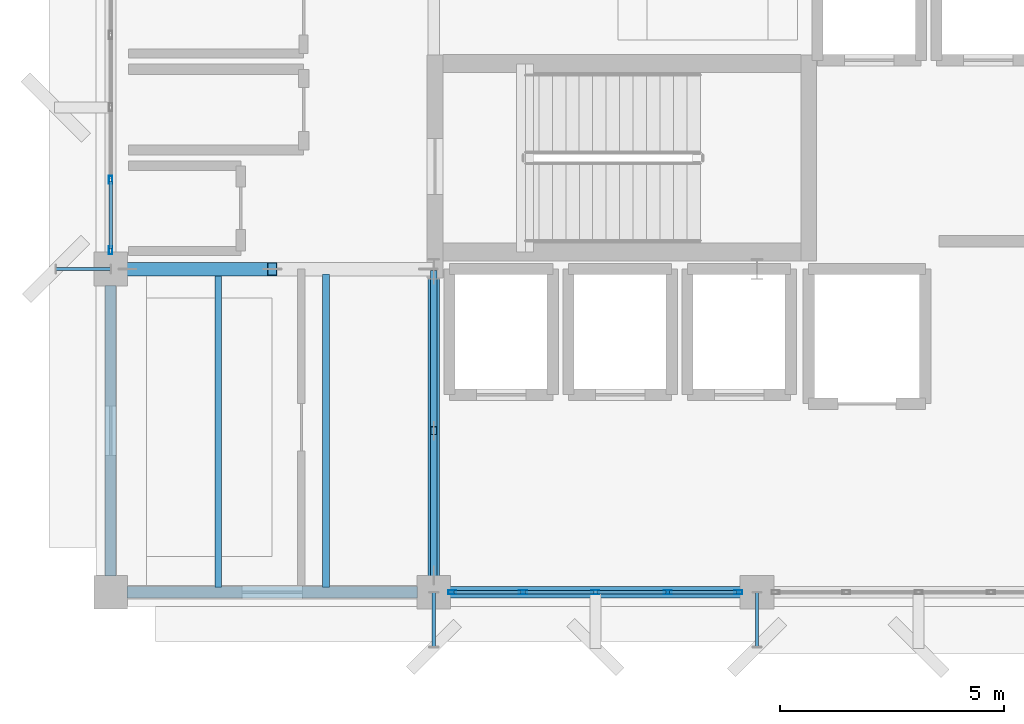
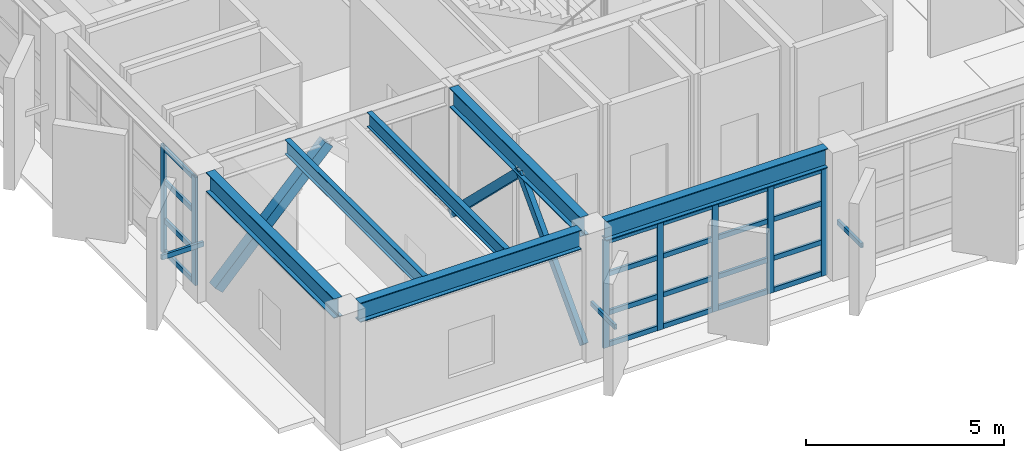
# One storey, part 6 of 37: 33 members, 6 beams, 2 elements without a shape of their own.
"""IFC4 building model written with IfcOpenShell, lengths in metres."""

from ifc_helpers import new_model, si_unit, direction, frame, origin, origin_2d, place, context, subcontext, project, spatial, hollow_rectangle, i_section, extrude, material, layer, layer_set, material_profile, profile_set, type_object, element, aggregate, save


model = new_model("IFC4")

# Units and contexts
model_context = context("Model", 3, precision=1e-05, world=origin(), true_north=direction((0.0, 1.0)))
body_context = subcontext(model_context, "Body", "Model", "MODEL_VIEW")
ifc_project = project(units=[si_unit("LENGTHUNIT", "METRE"), si_unit("AREAUNIT", "SQUARE_METRE"), si_unit("VOLUMEUNIT", "CUBIC_METRE"), si_unit("PLANEANGLEUNIT", "RADIAN"), si_unit("MASSUNIT", "GRAM", prefix="KILO")], contexts=[model_context])

# Site, building, storey
site_placement = place(None, origin())
site = spatial("IfcSite", under=ifc_project, at=site_placement, CompositionType="ELEMENT")
building_placement = place(site_placement, origin())
building = spatial("IfcBuilding", under=site, at=building_placement, Name="Kandorven Conservatory and Botanical Research Centre", CompositionType="ELEMENT")
storey_placement = place(building_placement, frame((0.0, 0.0, 9.0)))
storey = spatial("IfcBuildingStorey", under=building, at=storey_placement, Name="L02", CompositionType="ELEMENT", Elevation=9.0)

# Beams
ifc_material_1 = material(Name="Steel S355 (IS 2062 E350)", Category="steel")
ifc_material_profile_1 = material_profile(ifc_material_1, i_section(OverallWidth=0.25, OverallDepth=0.60009765625, WebThickness=0.01171875, FlangeThickness=0.023681640625, at=origin_2d()))
ifc_profile_set_1 = profile_set([ifc_material_profile_1], Name="Steel S355 (IS 2062 E350)")
beam_type_1 = type_object("IfcBeamType", Name="Beam_FG-01", PredefinedType="USERDEFINED", material=ifc_profile_set_1)
for number, where, z_axis, x_axis, name in (
    (1, (6.364990234375, 6.0, 3.659912109375), (1.0, 0.0, 0.0), (0.0, 1.0, 0.0), "Primary girder FG-01 TWR L02"),
    (2, (13.56494140625, 6.0, 3.659912109375), (1.0, 0.0, 0.0), (0.0, 1.0, 0.0), "Primary girder FG-01 TWR L02"),
    (3, (6.0, 6.364990234375, 3.659912109375), (0.0, 1.0, 0.0), (-1.0, 0.0, 0.0), "Primary girder FG-01 TWR L02"),
):
    element("IfcBeam", number, at=place(storey_placement, frame(where, z_axis=z_axis, x_axis=x_axis)), inside=storey, type_object=beam_type_1, Name=name, ObjectType="GIRDER", PredefinedType="USERDEFINED", context=body_context, shape_type="SweptSolid", body=[
        extrude(i_section(OverallWidth=0.25, OverallDepth=0.60009765625, WebThickness=0.01171875, FlangeThickness=0.023681640625, at=origin_2d()), origin(), (0.0, 0.0, 1.0), 6.469970703125),
    ])
beam_placement = place(storey_placement, frame((13.199951171875, 6.364990234375, 3.659912109375), z_axis=(0.0, 1.0, 0.0), x_axis=(-1.0, 0.0, 0.0)))
element("IfcBeam", 4, at=beam_placement, inside=storey, type_object=beam_type_1, Name="Primary girder FG-01 TWR L02", ObjectType="GIRDER", PredefinedType="USERDEFINED", context=body_context, shape_type="SweptSolid", body=[
    extrude(i_section(OverallWidth=0.25, OverallDepth=0.60009765625, WebThickness=0.01171875, FlangeThickness=0.023681640625, at=origin_2d()), origin(), (0.0, 0.0, 1.0), 6.6201171875),
])
ifc_material_2 = material(Name="Steel S355 (IS 2062 E350)", Category="steel")
ifc_material_profile_2 = material_profile(ifc_material_2, i_section(OverallWidth=0.14990234375, OverallDepth=0.449951171875, WebThickness=0.009521484375, FlangeThickness=0.017333984375, at=origin_2d()))
ifc_profile_set_2 = profile_set([ifc_material_profile_2], Name="Steel S355 (IS 2062 E350)")
beam_type_2 = type_object("IfcBeamType", Name="Beam_SB-04", PredefinedType="BEAM", material=ifc_profile_set_2)
for number, where, z_axis, x_axis, name in (
    (5, (8.39990234375, 6.110107421875, 3.735107421875), (0.0, 1.0, 0.0), (-1.0, 0.0, 0.0), "Composite secondary beam SB-04 TWR L02"),
    (6, (10.800048828125, 6.110107421875, 3.735107421875), (0.0, 1.0, 0.0), (-1.0, 0.0, 0.0), "Composite secondary beam SB-04 TWR L02"),
):
    element("IfcBeam", number, at=place(storey_placement, frame(where, z_axis=z_axis, x_axis=x_axis)), inside=storey, type_object=beam_type_2, Name=name, PredefinedType="BEAM", context=body_context, shape_type="SweptSolid", body=[
        extrude(i_section(OverallWidth=0.14990234375, OverallDepth=0.449951171875, WebThickness=0.009521484375, FlangeThickness=0.017333984375, at=origin_2d()), origin(), (0.0, 0.0, 1.0), 6.97998046875),
    ])

# Curtain wall, members
ifc_material_3 = material(Name="Bronze anodised thermally broken aluminium", Category="aluminium")
ifc_layer = layer(ifc_material_3, 0.179931640625)
ifc_layer_set = layer_set([ifc_layer], Name="Bronze anodised thermally broken aluminium")
curtain_wall_type = type_object("IfcCurtainWallType", Name="CW_Unitised", PredefinedType="USERDEFINED", material=ifc_layer_set)
curtain_wall_1_placement = place(storey_placement, origin())
curtain_wall_1 = element("IfcCurtainWall", 7, at=curtain_wall_1_placement, inside=storey, type_object=curtain_wall_type, Name="Tower laboratory curtain wall CW-TWR-S-L02-2", ObjectType="UNITISED GLAZING", PredefinedType="USERDEFINED")
ifc_material_4 = material(Name="Bronze anodised thermally broken aluminium", Category="aluminium")
ifc_material_profile_3 = material_profile(ifc_material_4, hollow_rectangle(XDim=0.080078125, YDim=0.179931640625, WallThickness=0.006103515625, at=origin_2d()))
ifc_profile_set_3 = profile_set([ifc_material_profile_3], Name="Bronze anodised thermally broken aluminium")
member_type_1 = type_object("IfcMemberType", Name="CW_Mullion", PredefinedType="MULLION", material=ifc_profile_set_3)
member_1_placement = place(storey_placement, frame((13.614990234375, 6.0, 0.0), z_axis=(0.0, 0.0, 1.0), x_axis=(0.0, 1.0, 0.0)))
member_1 = element("IfcMember", 8, at=member_1_placement, type_object=member_type_1, Name="CW-01 mullion 1", PredefinedType="MULLION", context=body_context, shape_type="SweptSolid", body=[
    extrude(hollow_rectangle(XDim=0.080078125, YDim=0.179931640625, WallThickness=0.006103515625, at=origin_2d()), origin(), (0.0, 0.0, 1.0), 3.340087890625),
])
member_2_placement = place(storey_placement, frame((15.1875, 6.0, 0.0), z_axis=(0.0, 0.0, 1.0), x_axis=(0.0, 1.0, 0.0)))
member_2 = element("IfcMember", 9, at=member_2_placement, type_object=member_type_1, Name="CW-01 mullion 2", PredefinedType="MULLION", context=body_context, shape_type="SweptSolid", body=[
    extrude(hollow_rectangle(XDim=0.080078125, YDim=0.179931640625, WallThickness=0.006103515625, at=origin_2d()), origin(), (0.0, 0.0, 1.0), 3.340087890625),
])
member_3_placement = place(storey_placement, frame((16.800048828125, 6.0, 0.0), z_axis=(0.0, 0.0, 1.0), x_axis=(0.0, 1.0, 0.0)))
member_3 = element("IfcMember", 10, at=member_3_placement, type_object=member_type_1, Name="CW-01 mullion 3", PredefinedType="MULLION", context=body_context, shape_type="SweptSolid", body=[
    extrude(hollow_rectangle(XDim=0.080078125, YDim=0.179931640625, WallThickness=0.006103515625, at=origin_2d()), origin(), (0.0, 0.0, 1.0), 3.340087890625),
])
member_4_placement = place(storey_placement, frame((18.41259765625, 6.0, 0.0), z_axis=(0.0, 0.0, 1.0), x_axis=(0.0, 1.0, 0.0)))
member_4 = element("IfcMember", 11, at=member_4_placement, type_object=member_type_1, Name="CW-01 mullion 4", PredefinedType="MULLION", context=body_context, shape_type="SweptSolid", body=[
    extrude(hollow_rectangle(XDim=0.080078125, YDim=0.179931640625, WallThickness=0.006103515625, at=origin_2d()), origin(), (0.0, 0.0, 1.0), 3.340087890625),
])
member_5_placement = place(storey_placement, frame((19.985107421875, 6.0, 0.0), z_axis=(0.0, 0.0, 1.0), x_axis=(0.0, 1.0, 0.0)))
member_5 = element("IfcMember", 12, at=member_5_placement, type_object=member_type_1, Name="CW-01 mullion 5", PredefinedType="MULLION", context=body_context, shape_type="SweptSolid", body=[
    extrude(hollow_rectangle(XDim=0.080078125, YDim=0.179931640625, WallThickness=0.006103515625, at=origin_2d()), origin(), (0.0, 0.0, 1.0), 3.340087890625),
])

curtain_wall_2_placement = place(storey_placement, origin())
curtain_wall_2 = element("IfcCurtainWall", 13, at=curtain_wall_2_placement, inside=storey, type_object=curtain_wall_type, Name="Tower laboratory curtain wall CW-TWR-W-L02-2", ObjectType="UNITISED GLAZING", PredefinedType="USERDEFINED")
member_6_placement = place(storey_placement, frame((6.0, 13.614990234375, 0.0), z_axis=(0.0, 0.0, 1.0), x_axis=(-1.0, 0.0, 0.0)))
member_6 = element("IfcMember", 14, at=member_6_placement, type_object=member_type_1, Name="CW-01 mullion 1", PredefinedType="MULLION", context=body_context, shape_type="SweptSolid", body=[
    extrude(hollow_rectangle(XDim=0.080078125, YDim=0.179931640625, WallThickness=0.006103515625, at=origin_2d()), origin(), (0.0, 0.0, 1.0), 3.340087890625),
])
member_7_placement = place(storey_placement, frame((6.0, 15.1875, 0.0), z_axis=(0.0, 0.0, 1.0), x_axis=(-1.0, 0.0, 0.0)))
member_7 = element("IfcMember", 15, at=member_7_placement, type_object=member_type_1, Name="CW-01 mullion 2", PredefinedType="MULLION", context=body_context, shape_type="SweptSolid", body=[
    extrude(hollow_rectangle(XDim=0.080078125, YDim=0.179931640625, WallThickness=0.006103515625, at=origin_2d()), origin(), (0.0, 0.0, 1.0), 3.340087890625),
])

# Member
ifc_material_5 = material(Name="Bronze anodised thermally broken aluminium", Category="aluminium")
ifc_material_profile_4 = material_profile(ifc_material_5, hollow_rectangle(XDim=0.074951171875, YDim=0.14990234375, WallThickness=0.006103515625, at=origin_2d()))
ifc_profile_set_4 = profile_set([ifc_material_profile_4], Name="Bronze anodised thermally broken aluminium")
member_type_2 = type_object("IfcMemberType", Name="CW_Transom", PredefinedType="USERDEFINED", material=ifc_profile_set_4)
member_8_placement = place(storey_placement, frame((13.655029296875, 6.0, 0.074951171875), z_axis=(1.0, 0.0, 0.0), x_axis=(0.0, 1.0, 0.0)))
member_8 = element("IfcMember", 16, at=member_8_placement, type_object=member_type_2, Name="CW-01 transom 1.1", ObjectType="TRANSOM", PredefinedType="USERDEFINED", context=body_context, shape_type="SweptSolid", body=[
    extrude(hollow_rectangle(XDim=0.074951171875, YDim=0.14990234375, WallThickness=0.006103515625, at=origin_2d()), origin(), (0.0, 0.0, 1.0), 1.492431640625),
])

member_9_placement = place(storey_placement, frame((13.655029296875, 6.0, 1.050048828125), z_axis=(1.0, 0.0, 0.0), x_axis=(0.0, 1.0, 0.0)))
member_9 = element("IfcMember", 17, at=member_9_placement, type_object=member_type_2, Name="CW-01 transom 1.2", ObjectType="TRANSOM", PredefinedType="USERDEFINED", context=body_context, shape_type="SweptSolid", body=[
    extrude(hollow_rectangle(XDim=0.074951171875, YDim=0.14990234375, WallThickness=0.006103515625, at=origin_2d()), origin(), (0.0, 0.0, 1.0), 1.492431640625),
])

member_10_placement = place(storey_placement, frame((13.655029296875, 6.0, 2.25), z_axis=(1.0, 0.0, 0.0), x_axis=(0.0, 1.0, 0.0)))
member_10 = element("IfcMember", 18, at=member_10_placement, type_object=member_type_2, Name="CW-01 transom 1.3", ObjectType="TRANSOM", PredefinedType="USERDEFINED", context=body_context, shape_type="SweptSolid", body=[
    extrude(hollow_rectangle(XDim=0.074951171875, YDim=0.14990234375, WallThickness=0.006103515625, at=origin_2d()), origin(), (0.0, 0.0, 1.0), 1.492431640625),
])

member_11_placement = place(storey_placement, frame((13.655029296875, 6.0, 3.264892578125), z_axis=(1.0, 0.0, 0.0), x_axis=(0.0, 1.0, 0.0)))
member_11 = element("IfcMember", 19, at=member_11_placement, type_object=member_type_2, Name="CW-01 transom 1.4", ObjectType="TRANSOM", PredefinedType="USERDEFINED", context=body_context, shape_type="SweptSolid", body=[
    extrude(hollow_rectangle(XDim=0.074951171875, YDim=0.14990234375, WallThickness=0.006103515625, at=origin_2d()), origin(), (0.0, 0.0, 1.0), 1.492431640625),
])

member_12_placement = place(storey_placement, frame((15.2275390625, 6.0, 0.074951171875), z_axis=(1.0, 0.0, 0.0), x_axis=(0.0, 1.0, 0.0)))
member_12 = element("IfcMember", 20, at=member_12_placement, type_object=member_type_2, Name="CW-01 transom 2.1", ObjectType="TRANSOM", PredefinedType="USERDEFINED", context=body_context, shape_type="SweptSolid", body=[
    extrude(hollow_rectangle(XDim=0.074951171875, YDim=0.14990234375, WallThickness=0.006103515625, at=origin_2d()), origin(), (0.0, 0.0, 1.0), 1.532470703125),
])

member_13_placement = place(storey_placement, frame((15.2275390625, 6.0, 1.050048828125), z_axis=(1.0, 0.0, 0.0), x_axis=(0.0, 1.0, 0.0)))
member_13 = element("IfcMember", 21, at=member_13_placement, type_object=member_type_2, Name="CW-01 transom 2.2", ObjectType="TRANSOM", PredefinedType="USERDEFINED", context=body_context, shape_type="SweptSolid", body=[
    extrude(hollow_rectangle(XDim=0.074951171875, YDim=0.14990234375, WallThickness=0.006103515625, at=origin_2d()), origin(), (0.0, 0.0, 1.0), 1.532470703125),
])

member_14_placement = place(storey_placement, frame((15.2275390625, 6.0, 2.25), z_axis=(1.0, 0.0, 0.0), x_axis=(0.0, 1.0, 0.0)))
member_14 = element("IfcMember", 22, at=member_14_placement, type_object=member_type_2, Name="CW-01 transom 2.3", ObjectType="TRANSOM", PredefinedType="USERDEFINED", context=body_context, shape_type="SweptSolid", body=[
    extrude(hollow_rectangle(XDim=0.074951171875, YDim=0.14990234375, WallThickness=0.006103515625, at=origin_2d()), origin(), (0.0, 0.0, 1.0), 1.532470703125),
])

member_15_placement = place(storey_placement, frame((15.2275390625, 6.0, 3.264892578125), z_axis=(1.0, 0.0, 0.0), x_axis=(0.0, 1.0, 0.0)))
member_15 = element("IfcMember", 23, at=member_15_placement, type_object=member_type_2, Name="CW-01 transom 2.4", ObjectType="TRANSOM", PredefinedType="USERDEFINED", context=body_context, shape_type="SweptSolid", body=[
    extrude(hollow_rectangle(XDim=0.074951171875, YDim=0.14990234375, WallThickness=0.006103515625, at=origin_2d()), origin(), (0.0, 0.0, 1.0), 1.532470703125),
])

member_16_placement = place(storey_placement, frame((16.840087890625, 6.0, 0.074951171875), z_axis=(1.0, 0.0, 0.0), x_axis=(0.0, 1.0, 0.0)))
member_16 = element("IfcMember", 24, at=member_16_placement, type_object=member_type_2, Name="CW-01 transom 3.1", ObjectType="TRANSOM", PredefinedType="USERDEFINED", context=body_context, shape_type="SweptSolid", body=[
    extrude(hollow_rectangle(XDim=0.074951171875, YDim=0.14990234375, WallThickness=0.006103515625, at=origin_2d()), origin(), (0.0, 0.0, 1.0), 1.532470703125),
])

member_17_placement = place(storey_placement, frame((16.840087890625, 6.0, 1.050048828125), z_axis=(1.0, 0.0, 0.0), x_axis=(0.0, 1.0, 0.0)))
member_17 = element("IfcMember", 25, at=member_17_placement, type_object=member_type_2, Name="CW-01 transom 3.2", ObjectType="TRANSOM", PredefinedType="USERDEFINED", context=body_context, shape_type="SweptSolid", body=[
    extrude(hollow_rectangle(XDim=0.074951171875, YDim=0.14990234375, WallThickness=0.006103515625, at=origin_2d()), origin(), (0.0, 0.0, 1.0), 1.532470703125),
])

member_18_placement = place(storey_placement, frame((16.840087890625, 6.0, 2.25), z_axis=(1.0, 0.0, 0.0), x_axis=(0.0, 1.0, 0.0)))
member_18 = element("IfcMember", 26, at=member_18_placement, type_object=member_type_2, Name="CW-01 transom 3.3", ObjectType="TRANSOM", PredefinedType="USERDEFINED", context=body_context, shape_type="SweptSolid", body=[
    extrude(hollow_rectangle(XDim=0.074951171875, YDim=0.14990234375, WallThickness=0.006103515625, at=origin_2d()), origin(), (0.0, 0.0, 1.0), 1.532470703125),
])

member_19_placement = place(storey_placement, frame((16.840087890625, 6.0, 3.264892578125), z_axis=(1.0, 0.0, 0.0), x_axis=(0.0, 1.0, 0.0)))
member_19 = element("IfcMember", 27, at=member_19_placement, type_object=member_type_2, Name="CW-01 transom 3.4", ObjectType="TRANSOM", PredefinedType="USERDEFINED", context=body_context, shape_type="SweptSolid", body=[
    extrude(hollow_rectangle(XDim=0.074951171875, YDim=0.14990234375, WallThickness=0.006103515625, at=origin_2d()), origin(), (0.0, 0.0, 1.0), 1.532470703125),
])

member_20_placement = place(storey_placement, frame((18.452392578125, 6.0, 0.074951171875), z_axis=(1.0, 0.0, 0.0), x_axis=(0.0, 1.0, 0.0)))
member_20 = element("IfcMember", 28, at=member_20_placement, type_object=member_type_2, Name="CW-01 transom 4.1", ObjectType="TRANSOM", PredefinedType="USERDEFINED", context=body_context, shape_type="SweptSolid", body=[
    extrude(hollow_rectangle(XDim=0.074951171875, YDim=0.14990234375, WallThickness=0.006103515625, at=origin_2d()), origin(), (0.0, 0.0, 1.0), 1.49267578125),
])

member_21_placement = place(storey_placement, frame((18.452392578125, 6.0, 1.050048828125), z_axis=(1.0, 0.0, 0.0), x_axis=(0.0, 1.0, 0.0)))
member_21 = element("IfcMember", 29, at=member_21_placement, type_object=member_type_2, Name="CW-01 transom 4.2", ObjectType="TRANSOM", PredefinedType="USERDEFINED", context=body_context, shape_type="SweptSolid", body=[
    extrude(hollow_rectangle(XDim=0.074951171875, YDim=0.14990234375, WallThickness=0.006103515625, at=origin_2d()), origin(), (0.0, 0.0, 1.0), 1.49267578125),
])

member_22_placement = place(storey_placement, frame((18.452392578125, 6.0, 2.25), z_axis=(1.0, 0.0, 0.0), x_axis=(0.0, 1.0, 0.0)))
member_22 = element("IfcMember", 30, at=member_22_placement, type_object=member_type_2, Name="CW-01 transom 4.3", ObjectType="TRANSOM", PredefinedType="USERDEFINED", context=body_context, shape_type="SweptSolid", body=[
    extrude(hollow_rectangle(XDim=0.074951171875, YDim=0.14990234375, WallThickness=0.006103515625, at=origin_2d()), origin(), (0.0, 0.0, 1.0), 1.49267578125),
])

member_23_placement = place(storey_placement, frame((18.452392578125, 6.0, 3.264892578125), z_axis=(1.0, 0.0, 0.0), x_axis=(0.0, 1.0, 0.0)))
member_23 = element("IfcMember", 31, at=member_23_placement, type_object=member_type_2, Name="CW-01 transom 4.4", ObjectType="TRANSOM", PredefinedType="USERDEFINED", context=body_context, shape_type="SweptSolid", body=[
    extrude(hollow_rectangle(XDim=0.074951171875, YDim=0.14990234375, WallThickness=0.006103515625, at=origin_2d()), origin(), (0.0, 0.0, 1.0), 1.49267578125),
])

aggregate(curtain_wall_1, [member_1, member_2, member_3, member_4, member_5, member_8, member_9, member_10, member_11, member_12, member_13, member_14, member_15, member_16, member_17, member_18, member_19, member_20, member_21, member_22, member_23])

member_24_placement = place(storey_placement, frame((6.0, 13.655029296875, 0.074951171875), z_axis=(0.0, 1.0, 0.0), x_axis=(-1.0, 0.0, 0.0)))
member_24 = element("IfcMember", 32, at=member_24_placement, type_object=member_type_2, Name="CW-01 transom 1.1", ObjectType="TRANSOM", PredefinedType="USERDEFINED", context=body_context, shape_type="SweptSolid", body=[
    extrude(hollow_rectangle(XDim=0.074951171875, YDim=0.14990234375, WallThickness=0.006103515625, at=origin_2d()), origin(), (0.0, 0.0, 1.0), 1.492431640625),
])

member_25_placement = place(storey_placement, frame((6.0, 13.655029296875, 1.050048828125), z_axis=(0.0, 1.0, 0.0), x_axis=(-1.0, 0.0, 0.0)))
member_25 = element("IfcMember", 33, at=member_25_placement, type_object=member_type_2, Name="CW-01 transom 1.2", ObjectType="TRANSOM", PredefinedType="USERDEFINED", context=body_context, shape_type="SweptSolid", body=[
    extrude(hollow_rectangle(XDim=0.074951171875, YDim=0.14990234375, WallThickness=0.006103515625, at=origin_2d()), origin(), (0.0, 0.0, 1.0), 1.492431640625),
])

member_26_placement = place(storey_placement, frame((6.0, 13.655029296875, 2.25), z_axis=(0.0, 1.0, 0.0), x_axis=(-1.0, 0.0, 0.0)))
member_26 = element("IfcMember", 34, at=member_26_placement, type_object=member_type_2, Name="CW-01 transom 1.3", ObjectType="TRANSOM", PredefinedType="USERDEFINED", context=body_context, shape_type="SweptSolid", body=[
    extrude(hollow_rectangle(XDim=0.074951171875, YDim=0.14990234375, WallThickness=0.006103515625, at=origin_2d()), origin(), (0.0, 0.0, 1.0), 1.492431640625),
])

member_27_placement = place(storey_placement, frame((6.0, 13.655029296875, 3.264892578125), z_axis=(0.0, 1.0, 0.0), x_axis=(-1.0, 0.0, 0.0)))
member_27 = element("IfcMember", 35, at=member_27_placement, type_object=member_type_2, Name="CW-01 transom 1.4", ObjectType="TRANSOM", PredefinedType="USERDEFINED", context=body_context, shape_type="SweptSolid", body=[
    extrude(hollow_rectangle(XDim=0.074951171875, YDim=0.14990234375, WallThickness=0.006103515625, at=origin_2d()), origin(), (0.0, 0.0, 1.0), 1.492431640625),
])

aggregate(curtain_wall_2, [member_6, member_7, member_24, member_25, member_26, member_27])

# Members
ifc_material_6 = material(Name="Steel S355 (IS 2062 E350)", Category="steel")
ifc_material_profile_5 = material_profile(ifc_material_6, hollow_rectangle(XDim=0.300048828125, YDim=0.300048828125, WallThickness=0.01611328125, at=origin_2d()))
ifc_profile_set_5 = profile_set([ifc_material_profile_5], Name="Steel S355 (IS 2062 E350)")
member_type_3 = type_object("IfcMemberType", Name="Mem_BR-01", PredefinedType="BRACE", material=ifc_profile_set_5)
member_28_placement = place(storey_placement, frame((6.375, 13.199951171875, 0.0), z_axis=(0.689277234632, 0.0, 0.72449768379), x_axis=(0.0, 1.0, 0.0)))
element("IfcMember", 36, at=member_28_placement, inside=storey, type_object=member_type_3, Name="Tower lateral chevron brace BR-01 L02 W", PredefinedType="BRACE", context=body_context, shape_type="SweptSolid", body=[
    extrude(hollow_rectangle(XDim=0.300048828125, YDim=0.300048828125, WallThickness=0.01611328125, at=origin_2d()), origin(), (0.0, 0.0, 1.0), 4.678955078125),
])
ifc_material_7 = material(Name="Steel S355 (IS 2062 E350)", Category="steel")
ifc_material_profile_6 = material_profile(ifc_material_7, hollow_rectangle(XDim=0.14990234375, YDim=0.25, WallThickness=0.010009765625, at=origin_2d()))
ifc_profile_set_6 = profile_set([ifc_material_profile_6], Name="Steel S355 (IS 2062 E350)")
member_type_4 = type_object("IfcMemberType", Name="Mem_BR-04", PredefinedType="BRACE", material=ifc_profile_set_6)
member_29_placement = place(storey_placement, frame((13.199951171875, 6.375, 0.0), z_axis=(0.0, 0.689277234632, 0.72449768379), x_axis=(-1.0, 0.0, 0.0)))
element("IfcMember", 37, at=member_29_placement, inside=storey, type_object=member_type_4, Name="Tower lateral chevron brace BR-04 L02 S", PredefinedType="BRACE", context=body_context, shape_type="SweptSolid", body=[
    extrude(hollow_rectangle(XDim=0.14990234375, YDim=0.25, WallThickness=0.010009765625, at=origin_2d()), origin(), (0.0, 0.0, 1.0), 4.678955078125),
])
member_30_placement = place(storey_placement, frame((13.199951171875, 13.074951171875, 0.0), z_axis=(0.0, -0.715803407515, 0.698301855782), x_axis=(1.0, 0.0, 0.0)))
element("IfcMember", 38, at=member_30_placement, inside=storey, type_object=member_type_4, Name="Tower lateral chevron brace BR-04 L02 N", PredefinedType="BRACE", context=body_context, shape_type="SweptSolid", body=[
    extrude(hollow_rectangle(XDim=0.14990234375, YDim=0.25, WallThickness=0.010009765625, at=origin_2d()), origin(), (0.0, 0.0, 1.0), 4.8544921875),
])
ifc_material_8 = material(Name="Steel S355 (IS 2062 E350)", Category="steel")
ifc_material_profile_7 = material_profile(ifc_material_8, hollow_rectangle(XDim=0.074951171875, YDim=0.14990234375, WallThickness=0.006103515625, at=origin_2d()))
ifc_profile_set_7 = profile_set([ifc_material_profile_7], Name="Steel S355 (IS 2062 E350)")
member_type_5 = type_object("IfcMemberType", Name="Mem_SF-01", PredefinedType="STRUT", material=ifc_profile_set_7)
for number, where, z_axis, x_axis, name in (
    (39, (13.199951171875, 6.0, 1.5), (0.0, -1.0, 0.0), (1.0, 0.0, 0.0), "Solar fin steel outrigger strut SF-01 #11"),
    (40, (20.39990234375, 6.0, 1.5), (0.0, -1.0, 0.0), (1.0, 0.0, 0.0), "Solar fin steel outrigger strut SF-01 #13"),
    (41, (6.0, 13.199951171875, 1.5), (-1.0, 0.0, 0.0), (0.0, -1.0, 0.0), "Solar fin steel outrigger strut SF-01 #17"),
):
    element("IfcMember", number, at=place(storey_placement, frame(where, z_axis=z_axis, x_axis=x_axis)), inside=storey, type_object=member_type_5, Name=name, PredefinedType="STRUT", context=body_context, shape_type="SweptSolid", body=[
        extrude(hollow_rectangle(XDim=0.074951171875, YDim=0.14990234375, WallThickness=0.006103515625, at=origin_2d()), origin(), (0.0, 0.0, 1.0), 1.219970703125),
    ])

save(model, "model.ifc")
